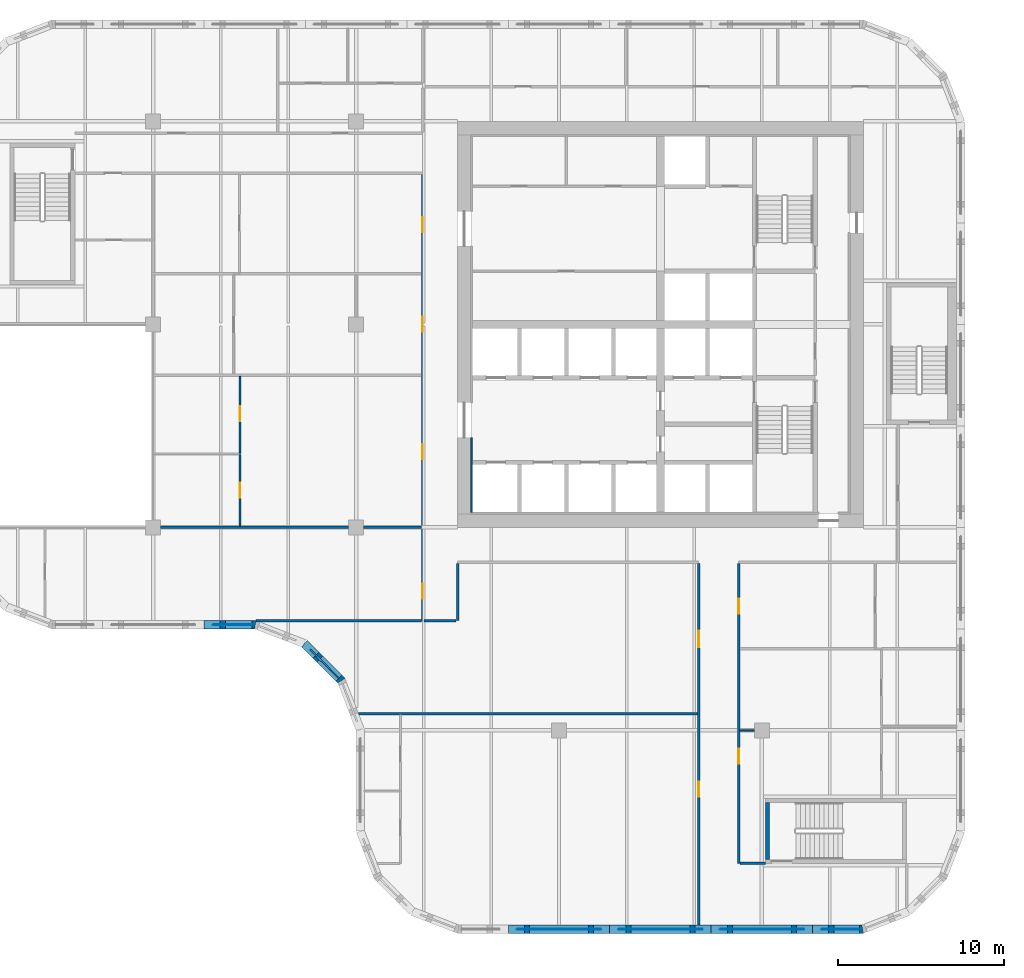
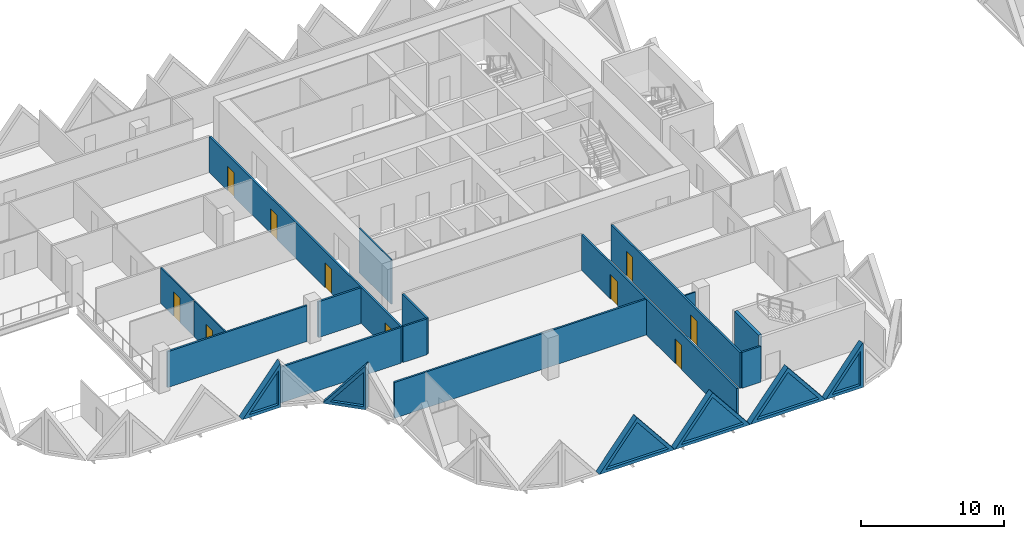
# One storey, part 5 of 19: 21 walls, 10 doors, 6 plates, 16 openings.
"""IFC4 building model written with IfcOpenShell, lengths in metres."""

from ifc_helpers import new_model, si_unit, direction, frame, frame_2d, origin, place, context, subcontext, project, spatial, polyline, rectangle, outline, extrude, faceted_brep, source, transform, mapped, material, layer, layer_set, type_object, element, fill, save


model = new_model("IFC4")

# Units and contexts
model_context = context("Model", 3, precision=1e-05, world=origin(), true_north=direction((0.0, 1.0)))
body_context = subcontext(model_context, "Body", "Model", "MODEL_VIEW")
ifc_project = project(units=[si_unit("LENGTHUNIT", "METRE"), si_unit("AREAUNIT", "SQUARE_METRE"), si_unit("VOLUMEUNIT", "CUBIC_METRE"), si_unit("PLANEANGLEUNIT", "RADIAN"), si_unit("MASSUNIT", "GRAM", prefix="KILO")], contexts=[model_context])

# Site, building, storey
site_placement = place(None, origin())
site = spatial("IfcSite", under=ifc_project, at=site_placement, CompositionType="ELEMENT")
building_placement = place(site_placement, origin())
building = spatial("IfcBuilding", under=site, at=building_placement, Name="Tessera Gate Towers", CompositionType="ELEMENT")
storey_placement = place(building_placement, frame((0.0, 0.0, 68.60009765625)))
storey = spatial("IfcBuildingStorey", under=building, at=storey_placement, Name="L16", CompositionType="ELEMENT", Elevation=68.60009765625)

# Walls
ifc_material_1 = material(Name="Concrete C40/50", Category="concrete")
ifc_layer_1 = layer(ifc_material_1, 0.25)
ifc_layer_set_1 = layer_set([ifc_layer_1], Name="CORE ENCLOSURE WALL 250")
wall_type_1 = type_object("IfcWallType", Name="CORE ENCLOSURE WALL 250", PredefinedType="SOLIDWALL", material=ifc_layer_set_1)
wall_1_placement = place(storey_placement, frame((49.125, 4.449951171875, 0.0), z_axis=(0.0, 0.0, 1.0), x_axis=(0.0, 1.0, 0.0)))
element("IfcWall", 1, at=wall_1_placement, inside=storey, type_object=wall_type_1, Name="L16 ST4 enclosure wall", PredefinedType="SOLIDWALL", context=body_context, shape_type="SweptSolid", body=[
    extrude(rectangle(XDim=3.400146484375, YDim=0.25, at=frame_2d((1.7001953125, 0.0))), origin(), (0.0, 0.0, 1.0), 3.7998046875),
])
ifc_material_2 = material(Name="Concrete C60/75", Category="concrete")
ifc_layer_2 = layer(ifc_material_2, 0.10009765625)
ifc_layer_set_2 = layer_set([ifc_layer_2], Name="CORE WALL THICKENING 100")
wall_type_2 = type_object("IfcWallType", Name="CORE WALL THICKENING 100", PredefinedType="SOLIDWALL", material=ifc_layer_set_2)
wall_2_placement = place(storey_placement, frame((31.35009765625, 25.300048828125, 0.0), z_axis=(0.0, 0.0, 1.0), x_axis=(0.0, 1.0, 0.0)))
element("IfcWall", 2, at=wall_2_placement, inside=storey, type_object=wall_type_2, Name="Core wall thickening W L16", PredefinedType="SOLIDWALL", context=body_context, shape_type="SweptSolid", body=[
    extrude(rectangle(XDim=4.5, YDim=0.10009765625, at=frame_2d((2.25, 0.0))), origin(), (0.0, 0.0, 1.0), 3.7998046875),
])

# Wall, openings, doors
ifc_material_3 = material(Name="Gypsum board on steel studs, mineral wool", Category="steel")
ifc_layer_3 = layer(ifc_material_3, 0.14990234375)
ifc_layer_set_3 = layer_set([ifc_layer_3], Name="CORRIDOR WALL 150")
wall_type_3 = type_object("IfcWallType", Name="CORRIDOR WALL 150", PredefinedType="PARTITIONING", material=ifc_layer_set_3)
wall_3_placement = place(storey_placement, frame((45.0, 0.5, 0.0), z_axis=(0.0, 0.0, 1.0), x_axis=(0.0, 1.0, 0.0)))
wall_3 = element("IfcWall", 3, at=wall_3_placement, inside=storey, type_object=wall_type_3, Name="T1-L16-PW-001", PredefinedType="PARTITIONING", context=body_context, shape_type="SweptSolid", body=[
    extrude(rectangle(XDim=21.72412109375, YDim=0.14990234375, at=frame_2d((10.862060546875, 0.0))), origin(), (0.0, 0.0, 1.0), 3.06689453125),
])
shared_shape_1 = source(origin(), body_context, "Body", "SweptSolid", [
    extrude(rectangle(XDim=0.89990234375, YDim=2.10009765625, at=frame_2d((0.449951171875, 1.050048828125))), frame((0.0, 0.0849609375, 0.0), z_axis=(0.0, -1.0, 0.0), x_axis=(1.0, 0.0, 0.0)), (0.0, 0.0, 1.0), 0.169921875),
])
opening_1_placement = place(wall_3_placement, frame((7.699951171875, 0.0, 0.0)))
opening_1 = element("IfcOpeningElement", 4, at=opening_1_placement, cuts=wall_3, Name="Opening D890FD60-A06-07", PredefinedType="OPENING", context=body_context, shape_type="MappedRepresentation", body=[
    mapped(shared_shape_1, transform((0.0, 0.0, 0.0), scale=1.0)),
])
shared_shape_2 = source(origin(), body_context, "Body", "SweptSolid", [
    extrude(rectangle(XDim=1.0, YDim=2.10009765625, at=frame_2d((0.5, 1.050048828125))), frame((0.0, 0.0849609375, 0.0), z_axis=(0.0, -1.0, 0.0), x_axis=(1.0, 0.0, 0.0)), (0.0, 0.0, 1.0), 0.169921875),
])
opening_2_placement = place(wall_3_placement, frame((16.699951171875, 0.0, 0.0)))
opening_2 = element("IfcOpeningElement", 5, at=opening_2_placement, cuts=wall_3, Name="Opening D2100FD60-A06-02", PredefinedType="OPENING", context=body_context, shape_type="MappedRepresentation", body=[
    mapped(shared_shape_2, transform((0.0, 0.0, 0.0), scale=1.0)),
])
ifc_material_4 = material(Name="Timber door leaf in steel frame", Category="steel")
door_type_1 = type_object("IfcDoorType", Name="CORRIDOR DOOR 900 FD60", OperationType="NOTDEFINED", PredefinedType="DOOR", material=ifc_material_4)
shared_shape_3 = source(origin(), body_context, "Body", "SweptSolid", [
    extrude(rectangle(XDim=0.89990234375, YDim=2.10009765625, at=frame_2d((0.449951171875, 1.050048828125))), frame((0.0, 0.02490234375, 0.0), z_axis=(0.0, -1.0, 0.0), x_axis=(1.0, 0.0, 0.0)), (0.0, 0.0, 1.0), 0.050048828125),
])
door_1_placement = place(opening_1_placement, origin())
door_1 = element("IfcDoor", 6, at=door_1_placement, inside=storey, type_object=door_type_1, Name="T1-L16-PD-021", OperationType="SINGLE_SWING_LEFT", OverallHeight=2.10009765625, OverallWidth=0.89990234375, PredefinedType="DOOR", context=body_context, shape_type="MappedRepresentation", body=[
    mapped(shared_shape_3, transform((0.0, 0.0, 0.0), scale=1.0)),
])
fill(opening_1, door_1)
ifc_material_5 = material(Name="Timber door leaf in steel frame", Category="steel")
door_type_2 = type_object("IfcDoorType", Name="TENANCY ENTRANCE DOOR 1000 FD60", OperationType="NOTDEFINED", PredefinedType="DOOR", material=ifc_material_5)
shared_shape_4 = source(origin(), body_context, "Body", "SweptSolid", [
    extrude(rectangle(XDim=1.0, YDim=2.10009765625, at=frame_2d((0.5, 1.050048828125))), frame((0.0, 0.02490234375, 0.0), z_axis=(0.0, -1.0, 0.0), x_axis=(1.0, 0.0, 0.0)), (0.0, 0.0, 1.0), 0.050048828125),
])
door_2_placement = place(opening_2_placement, origin())
door_2 = element("IfcDoor", 7, at=door_2_placement, inside=storey, type_object=door_type_2, Name="T1-L16-PD-022", OperationType="SINGLE_SWING_LEFT", OverallHeight=2.10009765625, OverallWidth=1.0, PredefinedType="DOOR", context=body_context, shape_type="MappedRepresentation", body=[
    mapped(shared_shape_4, transform((0.0, 0.0, 0.0), scale=1.0)),
])
fill(opening_2, door_2)

wall_4_placement = place(storey_placement, frame((47.39990234375, 22.22412109375, 0.0), z_axis=(0.0, 0.0, 1.0), x_axis=(0.0, -1.0, 0.0)))
wall_4 = element("IfcWall", 8, at=wall_4_placement, inside=storey, type_object=wall_type_3, Name="T1-L16-PW-005", PredefinedType="PARTITIONING", context=body_context, shape_type="SweptSolid", body=[
    extrude(rectangle(XDim=18.024169921875, YDim=0.14990234375, at=frame_2d((9.01220703125, 0.0))), origin(), (0.0, 0.0, 1.0), 3.06689453125),
])
opening_3_placement = place(wall_4_placement, frame((2.123046875, 0.0, 0.0)))
opening_3 = element("IfcOpeningElement", 9, at=opening_3_placement, cuts=wall_4, Name="Opening D890FD60-A06-02", PredefinedType="OPENING", context=body_context, shape_type="MappedRepresentation", body=[
    mapped(shared_shape_1, transform((0.0, 0.0, 0.0), scale=1.0)),
])
opening_4_placement = place(wall_4_placement, frame((11.1240234375, 0.0, 0.0)))
opening_4 = element("IfcOpeningElement", 10, at=opening_4_placement, cuts=wall_4, Name="Opening D890FD60-A06-12", PredefinedType="OPENING", context=body_context, shape_type="MappedRepresentation", body=[
    mapped(shared_shape_1, transform((0.0, 0.0, 0.0), scale=1.0)),
])
door_3_placement = place(opening_3_placement, origin())
door_3 = element("IfcDoor", 11, at=door_3_placement, inside=storey, type_object=door_type_1, Name="T1-L16-PD-012", OperationType="SINGLE_SWING_RIGHT", OverallHeight=2.10009765625, OverallWidth=0.89990234375, PredefinedType="DOOR", context=body_context, shape_type="MappedRepresentation", body=[
    mapped(shared_shape_3, transform((0.0, 0.0, 0.0), scale=1.0)),
])
fill(opening_3, door_3)
door_4_placement = place(opening_4_placement, origin())
door_4 = element("IfcDoor", 12, at=door_4_placement, inside=storey, type_object=door_type_1, Name="T1-L16-PD-028", OperationType="SINGLE_SWING_RIGHT", OverallHeight=2.10009765625, OverallWidth=0.89990234375, PredefinedType="DOOR", context=body_context, shape_type="MappedRepresentation", body=[
    mapped(shared_shape_3, transform((0.0, 0.0, 0.0), scale=1.0)),
])
fill(opening_4, door_4)

# Wall
wall_5_placement = place(storey_placement, frame((47.47607421875, 4.199951171875, 0.0), z_axis=(0.0, 0.0, 1.0), x_axis=(1.0, 0.0, 0.0)))
element("IfcWall", 13, at=wall_5_placement, inside=storey, type_object=wall_type_3, Name="T1-L16-PW-006", PredefinedType="PARTITIONING", context=body_context, shape_type="SweptSolid", body=[
    extrude(rectangle(XDim=1.52392578125, YDim=0.14990234375, at=frame_2d((0.761962890625, 0.0))), origin(), (0.0, 0.0, 1.0), 3.06689453125),
])

# Wall, openings, doors
wall_6_placement = place(storey_placement, frame((28.39990234375, 18.800048828125, 0.0), z_axis=(0.0, 0.0, 1.0), x_axis=(0.0, 1.0, 0.0)))
wall_6 = element("IfcWall", 14, at=wall_6_placement, inside=storey, type_object=wall_type_3, Name="T1-L16-PW-018", PredefinedType="PARTITIONING", context=body_context, shape_type="SweptSolid", body=[
    extrude(rectangle(XDim=26.823974609375, YDim=0.14990234375, at=frame_2d((13.412109375, 0.0))), origin(), (0.0, 0.0, 1.0), 3.06689453125),
])
opening_5_placement = place(wall_6_placement, frame((1.300048828125, 0.0, 0.0)))
opening_5 = element("IfcOpeningElement", 15, at=opening_5_placement, cuts=wall_6, Name="Opening D890FD60-A06-01", PredefinedType="OPENING", context=body_context, shape_type="MappedRepresentation", body=[
    mapped(shared_shape_1, transform((0.0, 0.0, 0.0), scale=1.0)),
])
opening_6_placement = place(wall_6_placement, frame((23.35107421875, 0.0, 0.0)))
opening_6 = element("IfcOpeningElement", 16, at=opening_6_placement, cuts=wall_6, Name="Opening D890FD60-A06-03", PredefinedType="OPENING", context=body_context, shape_type="MappedRepresentation", body=[
    mapped(shared_shape_1, transform((0.0, 0.0, 0.0), scale=1.0)),
])
opening_7_placement = place(wall_6_placement, frame((17.35107421875, 0.0, 0.0)))
opening_7 = element("IfcOpeningElement", 17, at=opening_7_placement, cuts=wall_6, Name="Opening D890FD60-A06-04", PredefinedType="OPENING", context=body_context, shape_type="MappedRepresentation", body=[
    mapped(shared_shape_1, transform((0.0, 0.0, 0.0), scale=1.0)),
])
opening_8_placement = place(wall_6_placement, frame((9.699951171875, 0.0, 0.0)))
opening_8 = element("IfcOpeningElement", 18, at=opening_8_placement, cuts=wall_6, Name="Opening D890FD60-A06-09", PredefinedType="OPENING", context=body_context, shape_type="MappedRepresentation", body=[
    mapped(shared_shape_1, transform((0.0, 0.0, 0.0), scale=1.0)),
])
door_5_placement = place(opening_5_placement, origin())
door_5 = element("IfcDoor", 19, at=door_5_placement, inside=storey, type_object=door_type_1, Name="T1-L16-PD-001", OperationType="SINGLE_SWING_LEFT", OverallHeight=2.10009765625, OverallWidth=0.89990234375, PredefinedType="DOOR", context=body_context, shape_type="MappedRepresentation", body=[
    mapped(shared_shape_3, transform((0.0, 0.0, 0.0), scale=1.0)),
])
fill(opening_5, door_5)
door_6_placement = place(opening_6_placement, origin())
door_6 = element("IfcDoor", 20, at=door_6_placement, inside=storey, type_object=door_type_1, Name="T1-L16-PD-017", OperationType="SINGLE_SWING_LEFT", OverallHeight=2.10009765625, OverallWidth=0.89990234375, PredefinedType="DOOR", context=body_context, shape_type="MappedRepresentation", body=[
    mapped(shared_shape_3, transform((0.0, 0.0, 0.0), scale=1.0)),
])
fill(opening_6, door_6)
door_7_placement = place(opening_7_placement, origin())
door_7 = element("IfcDoor", 21, at=door_7_placement, inside=storey, type_object=door_type_1, Name="T1-L16-PD-018", OperationType="SINGLE_SWING_LEFT", OverallHeight=2.10009765625, OverallWidth=0.89990234375, PredefinedType="DOOR", context=body_context, shape_type="MappedRepresentation", body=[
    mapped(shared_shape_3, transform((0.0, 0.0, 0.0), scale=1.0)),
])
fill(opening_7, door_7)
door_8_placement = place(opening_8_placement, origin())
door_8 = element("IfcDoor", 22, at=door_8_placement, inside=storey, type_object=door_type_1, Name="T1-L16-PD-024", OperationType="SINGLE_SWING_LEFT", OverallHeight=2.10009765625, OverallWidth=0.89990234375, PredefinedType="DOOR", context=body_context, shape_type="MappedRepresentation", body=[
    mapped(shared_shape_3, transform((0.0, 0.0, 0.0), scale=1.0)),
])
fill(opening_8, door_8)

# Walls
wall_7_placement = place(storey_placement, frame((28.47607421875, 18.800048828125, 0.0), z_axis=(0.0, 0.0, 1.0), x_axis=(1.0, 0.0, 0.0)))
element("IfcWall", 23, at=wall_7_placement, inside=storey, type_object=wall_type_3, Name="T1-L16-PW-019", PredefinedType="PARTITIONING", context=body_context, shape_type="SweptSolid", body=[
    extrude(rectangle(XDim=1.947998046875, YDim=0.14990234375, at=frame_2d((0.97412109375, 0.0))), origin(), (0.0, 0.0, 1.0), 3.06689453125),
])
wall_8_placement = place(storey_placement, frame((30.5, 18.800048828125, 0.0), z_axis=(0.0, 0.0, 1.0), x_axis=(0.0, 1.0, 0.0)))
element("IfcWall", 24, at=wall_8_placement, inside=storey, type_object=wall_type_3, Name="T1-L16-PW-020", PredefinedType="PARTITIONING", context=body_context, shape_type="SweptSolid", body=[
    extrude(rectangle(XDim=3.424072265625, YDim=0.14990234375, at=frame_2d((1.7119140625, 0.0))), origin(), (0.0, 0.0, 1.0), 3.06689453125),
])
ifc_material_6 = material(Name="Gypsum board on steel studs", Category="steel")
ifc_layer_4 = layer(ifc_material_6, 0.10009765625)
ifc_layer_set_4 = layer_set([ifc_layer_4], Name="PARTITION 100")
wall_type_4 = type_object("IfcWallType", Name="PARTITION 100", PredefinedType="PARTITIONING", material=ifc_layer_set_4)
wall_9_placement = place(storey_placement, frame((48.35009765625, 12.199951171875, 0.0), z_axis=(0.0, 0.0, 1.0), x_axis=(-1.0, 0.0, 0.0)))
element("IfcWall", 25, at=wall_9_placement, inside=storey, type_object=wall_type_4, Name="T1-L16-PW-009", PredefinedType="PARTITIONING", context=body_context, shape_type="SweptSolid", body=[
    extrude(rectangle(XDim=0.875, YDim=0.10009765625, at=frame_2d((0.4375, 0.0))), origin(), (0.0, 0.0, 1.0), 3.06689453125),
])

# Wall, opening, door
wall_10_placement = place(storey_placement, frame((17.425048828125, 24.47607421875, 0.0), z_axis=(0.0, 0.0, 1.0), x_axis=(0.0, 1.0, 0.0)))
wall_10 = element("IfcWall", 26, at=wall_10_placement, inside=storey, type_object=wall_type_4, Name="T1-L16-PW-028", PredefinedType="PARTITIONING", context=body_context, shape_type="SweptSolid", body=[
    extrude(rectangle(XDim=4.293212890625, YDim=0.10009765625, at=frame_2d((2.146484375, 0.0))), origin(), (0.0, 0.0, 1.0), 3.06689453125),
])
shared_shape_5 = source(origin(), body_context, "Body", "SweptSolid", [
    extrude(rectangle(XDim=0.89990234375, YDim=2.10009765625, at=frame_2d((0.449951171875, 1.050048828125))), frame((0.0, 0.06005859375, 0.0), z_axis=(0.0, -1.0, 0.0), x_axis=(1.0, 0.0, 0.0)), (0.0, 0.0, 1.0), 0.1201171875),
])
opening_9_placement = place(wall_10_placement, frame((1.699951171875, 0.0, 0.0)))
opening_9 = element("IfcOpeningElement", 27, at=opening_9_placement, cuts=wall_10, Name="Opening D190-A06-02", PredefinedType="OPENING", context=body_context, shape_type="MappedRepresentation", body=[
    mapped(shared_shape_5, transform((0.0, 0.0, 0.0), scale=1.0)),
])
ifc_material_7 = material(Name="Timber door leaf in steel frame", Category="steel")
door_type_3 = type_object("IfcDoorType", Name="INTERNAL DOOR 900 NOT RATED", OperationType="NOTDEFINED", PredefinedType="DOOR", material=ifc_material_7)
door_9_placement = place(opening_9_placement, origin())
door_9 = element("IfcDoor", 28, at=door_9_placement, inside=storey, type_object=door_type_3, Name="T1-L16-PD-003", OperationType="SINGLE_SWING_LEFT", OverallHeight=2.10009765625, OverallWidth=0.89990234375, PredefinedType="DOOR", context=body_context, shape_type="MappedRepresentation", body=[
    mapped(shared_shape_3, transform((0.0, 0.0, 0.0), scale=1.0)),
])
fill(opening_9, door_9)

wall_11_placement = place(storey_placement, frame((17.425048828125, 28.871337890625, 0.0), z_axis=(0.0, 0.0, 1.0), x_axis=(0.0, 1.0, 0.0)))
wall_11 = element("IfcWall", 29, at=wall_11_placement, inside=storey, type_object=wall_type_4, Name="T1-L16-PW-030", PredefinedType="PARTITIONING", context=body_context, shape_type="SweptSolid", body=[
    extrude(rectangle(XDim=4.602783203125, YDim=0.10009765625, at=frame_2d((2.30126953125, 0.0))), origin(), (0.0, 0.0, 1.0), 3.06689453125),
])
opening_10_placement = place(wall_11_placement, frame((1.89990234375, 0.0, 0.0)))
opening_10 = element("IfcOpeningElement", 30, at=opening_10_placement, cuts=wall_11, Name="Opening D190-A06-05", PredefinedType="OPENING", context=body_context, shape_type="MappedRepresentation", body=[
    mapped(shared_shape_5, transform((0.0, 0.0, 0.0), scale=1.0)),
])
door_10_placement = place(opening_10_placement, origin())
door_10 = element("IfcDoor", 31, at=door_10_placement, inside=storey, type_object=door_type_3, Name="T1-L16-PD-008", OperationType="SINGLE_SWING_LEFT", OverallHeight=2.10009765625, OverallWidth=0.89990234375, PredefinedType="DOOR", context=body_context, shape_type="MappedRepresentation", body=[
    mapped(shared_shape_3, transform((0.0, 0.0, 0.0), scale=1.0)),
])
fill(opening_10, door_10)

# Walls
ifc_material_8 = material(Name="Gypsum board on steel studs, mineral wool", Category="steel")
ifc_layer_5 = layer(ifc_material_8, 0.14990234375)
ifc_layer_set_5 = layer_set([ifc_layer_5], Name="TENANCY WALL 150")
wall_type_5 = type_object("IfcWallType", Name="TENANCY WALL 150", PredefinedType="PARTITIONING", material=ifc_layer_set_5)
wall_12_placement = place(storey_placement, frame((24.55029296875, 13.199951171875, 0.0), z_axis=(0.0, 0.0, 1.0), x_axis=(1.0, 0.0, 0.0)))
element("IfcWall", 32, at=wall_12_placement, inside=storey, type_object=wall_type_5, Name="T1-L16-PW-012", PredefinedType="PARTITIONING", context=body_context, shape_type="SweptSolid", body=[
    extrude(rectangle(XDim=20.373779296875, YDim=0.14990234375, at=frame_2d((10.18701171875, 0.0))), origin(), (0.0, 0.0, 1.0), 3.06689453125),
])
wall_13_placement = place(storey_placement, frame((18.39306640625, 18.800048828125, 0.0), z_axis=(0.0, 0.0, 1.0), x_axis=(1.0, 0.0, 0.0)))
element("IfcWall", 33, at=wall_13_placement, inside=storey, type_object=wall_type_5, Name="T1-L16-PW-017", PredefinedType="PARTITIONING", context=body_context, shape_type="SweptSolid", body=[
    extrude(rectangle(XDim=9.930908203125, YDim=0.14990234375, at=frame_2d((4.96533203125, 0.0))), origin(), (0.0, 0.0, 1.0), 3.06689453125),
])
wall_14_placement = place(storey_placement, frame((12.65087890625, 24.39990234375, 0.0), z_axis=(0.0, 0.0, 1.0), x_axis=(1.0, 0.0, 0.0)))
element("IfcWall", 34, at=wall_14_placement, inside=storey, type_object=wall_type_5, Name="T1-L16-PW-026", PredefinedType="PARTITIONING", context=body_context, shape_type="SweptSolid", body=[
    extrude(rectangle(XDim=11.298095703125, YDim=0.14990234375, at=frame_2d((5.64892578125, 0.0))), origin(), (0.0, 0.0, 1.0), 3.06689453125),
])
wall_15_placement = place(storey_placement, frame((24.85107421875, 24.39990234375, 0.0), z_axis=(0.0, 0.0, 1.0), x_axis=(1.0, 0.0, 0.0)))
element("IfcWall", 35, at=wall_15_placement, inside=storey, type_object=wall_type_5, Name="T1-L16-PW-027", PredefinedType="PARTITIONING", context=body_context, shape_type="SweptSolid", body=[
    extrude(rectangle(XDim=3.472900390625, YDim=0.14990234375, at=frame_2d((1.736328125, 0.0))), origin(), (0.0, 0.0, 1.0), 3.06689453125),
])

# Wall, opening, plate
ifc_material_9 = material(Name="Precast concrete C60/75 white", Category="concrete")
ifc_layer_6 = layer(ifc_material_9, 0.5)
ifc_layer_set_6 = layer_set([ifc_layer_6], Name="TS2 half tessera")
wall_type_6 = type_object("IfcWallType", Name="TS2 half tessera", PredefinedType="SOLIDWALL", material=ifc_layer_set_6)
shared_shape_6 = source(origin(), body_context, "Body", "Brep", [
    faceted_brep([(6.099853515625, -0.25, 0.000244140625), (3.050048828125, -0.25, 3.7998046875), (0.0, -0.25, 0.0), (6.099853515625, -0.25, 0.0), (0.0, 0.25, 0.0), (3.050048828125, 0.25, 3.7998046875), (6.099853515625, 0.25, 0.000244140625), (6.099853515625, 0.25, 0.0)], [[[0, 1, 2, 3]], [[4, 5, 6, 7]], [[6, 5, 1, 0]], [[5, 4, 2, 1]], [[4, 7, 3, 2]], [[3, 7, 6, 0]]]),
])
wall_16_placement = place(storey_placement, frame((33.550048828125, 0.25, 0.0), z_axis=(0.0, 0.0, 1.0), x_axis=(1.0, 0.0, 0.0)))
wall_16 = element("IfcWall", 36, at=wall_16_placement, inside=storey, type_object=wall_type_6, Name="Precast half tessera T1 TS2-0092", PredefinedType="SOLIDWALL", context=body_context, shape_type="MappedRepresentation", body=[
    mapped(shared_shape_6, transform((0.0, 0.0, 0.0), scale=1.0)),
])
shared_shape_7 = source(origin(), body_context, "Body", "SweptSolid", [
    extrude(outline(polyline([(5.578857421875, 0.25), (3.050048828125, 3.400390625), (0.521240234375, 0.25), (5.578857421875, 0.25)])), frame((0.0, 0.260009765625, 0.0), z_axis=(0.0, -1.0, 0.0), x_axis=(1.0, 0.0, 0.0)), (0.0, 0.0, 1.0), 0.52001953125),
])
opening_11_placement = place(wall_16_placement, origin())
opening_11 = element("IfcOpeningElement", 37, at=opening_11_placement, cuts=wall_16, Name="Opening T1-PL1-0190", PredefinedType="OPENING", context=body_context, shape_type="MappedRepresentation", body=[
    mapped(shared_shape_7, transform((0.0, 0.0, 0.0), scale=1.0)),
])
ifc_material_10 = material(Name="Low-e laminated glass", Category="glass")
ifc_layer_7 = layer(ifc_material_10, 0.06005859375)
ifc_layer_set_7 = layer_set([ifc_layer_7], Name="PL1 triangular pane")
plate_type = type_object("IfcPlateType", Name="PL1 triangular pane", PredefinedType="SHEET", material=ifc_layer_set_7)
shared_shape_8 = source(origin(), body_context, "Body", "SweptSolid", [
    extrude(outline(polyline([(5.578857421875, 0.25), (3.050048828125, 3.400390625), (0.521240234375, 0.25), (5.578857421875, 0.25)])), frame((0.0, 0.030029296875, 0.0), z_axis=(0.0, -1.0, 0.0), x_axis=(1.0, 0.0, 0.0)), (0.0, 0.0, 1.0), 0.06005859375),
])
plate_1_placement = place(opening_11_placement, origin())
plate_1 = element("IfcPlate", 38, at=plate_1_placement, inside=storey, type_object=plate_type, Name="Glass pane T1 PL1-0190", PredefinedType="SHEET", context=body_context, shape_type="MappedRepresentation", body=[
    mapped(shared_shape_8, transform((0.0, 0.0, 0.0), scale=1.0)),
])
fill(opening_11, plate_1)

shared_shape_9 = source(origin(), body_context, "Body", "SweptSolid", [
    extrude(outline(polyline([(6.10009765625, 0.0), (3.050048828125, 3.7998046875), (0.0, 0.0), (6.10009765625, 0.0)])), frame((0.0, 0.25, 0.0), z_axis=(0.0, -1.0, 0.0), x_axis=(1.0, 0.0, 0.0)), (0.0, 0.0, 1.0), 0.5),
])
wall_17_placement = place(storey_placement, frame((39.64990234375, 0.25, 0.0), z_axis=(0.0, 0.0, 1.0), x_axis=(1.0, 0.0, 0.0)))
wall_17 = element("IfcWall", 39, at=wall_17_placement, inside=storey, type_object=wall_type_6, Name="Precast half tessera T1 TS2-0093", PredefinedType="SOLIDWALL", context=body_context, shape_type="MappedRepresentation", body=[
    mapped(shared_shape_9, transform((0.0, 0.0, 0.0), scale=1.0)),
])
opening_12_placement = place(wall_17_placement, origin())
opening_12 = element("IfcOpeningElement", 40, at=opening_12_placement, cuts=wall_17, Name="Opening T1-PL1-0191", PredefinedType="OPENING", context=body_context, shape_type="MappedRepresentation", body=[
    mapped(shared_shape_7, transform((0.0, 0.0, 0.0), scale=1.0)),
])
plate_2_placement = place(opening_12_placement, origin())
plate_2 = element("IfcPlate", 41, at=plate_2_placement, inside=storey, type_object=plate_type, Name="Glass pane T1 PL1-0191", PredefinedType="SHEET", context=body_context, shape_type="MappedRepresentation", body=[
    mapped(shared_shape_8, transform((0.0, 0.0, 0.0), scale=1.0)),
])
fill(opening_12, plate_2)

wall_18_placement = place(storey_placement, frame((45.75, 0.25, 0.0), z_axis=(0.0, 0.0, 1.0), x_axis=(1.0, 0.0, 0.0)))
wall_18 = element("IfcWall", 42, at=wall_18_placement, inside=storey, type_object=wall_type_6, Name="Precast half tessera T1 TS2-0094", PredefinedType="SOLIDWALL", context=body_context, shape_type="MappedRepresentation", body=[
    mapped(shared_shape_9, transform((0.0, 0.0, 0.0), scale=1.0)),
])
opening_13_placement = place(wall_18_placement, origin())
opening_13 = element("IfcOpeningElement", 43, at=opening_13_placement, cuts=wall_18, Name="Opening T1-PL1-0192", PredefinedType="OPENING", context=body_context, shape_type="MappedRepresentation", body=[
    mapped(shared_shape_7, transform((0.0, 0.0, 0.0), scale=1.0)),
])
plate_3_placement = place(opening_13_placement, origin())
plate_3 = element("IfcPlate", 44, at=plate_3_placement, inside=storey, type_object=plate_type, Name="Glass pane T1 PL1-0192", PredefinedType="SHEET", context=body_context, shape_type="MappedRepresentation", body=[
    mapped(shared_shape_8, transform((0.0, 0.0, 0.0), scale=1.0)),
])
fill(opening_13, plate_3)

ifc_material_11 = material(Name="Precast concrete C60/75 white", Category="concrete")
ifc_layer_8 = layer(ifc_material_11, 0.5)
ifc_layer_set_8 = layer_set([ifc_layer_8], Name="TS3 corner tessera")
wall_type_7 = type_object("IfcWallType", Name="TS3 corner tessera", PredefinedType="SOLIDWALL", material=ifc_layer_set_8)
shared_shape_10 = source(origin(), body_context, "Body", "Brep", [
    faceted_brep([(3.050048828125, -0.25, 3.73974609375), (3.00341796875, -0.25, 3.7998046875), (0.0, -0.25, 0.0), (3.050048828125, -0.25, 0.0), (0.0, 0.25, 0.0), (2.956787109375, 0.25, 3.740966796875), (2.956787109375, 0.25, 0.0), (3.00341796875, 0.000244140625, 3.7998046875)], [[[0, 1, 2, 3]], [[4, 5, 6]], [[7, 1, 0]], [[5, 4, 2, 1, 7]], [[4, 6, 3, 2]], [[3, 6, 5, 7, 0]]]),
])
wall_19_placement = place(storey_placement, frame((51.85009765625, 0.25, 0.0), z_axis=(0.0, 0.0, 1.0), x_axis=(1.0, 0.0, 0.0)))
wall_19 = element("IfcWall", 45, at=wall_19_placement, inside=storey, type_object=wall_type_7, Name="Precast corner tessera T1 TS3-0339", PredefinedType="SOLIDWALL", context=body_context, shape_type="MappedRepresentation", body=[
    mapped(shared_shape_10, transform((0.0, 0.0, 0.0), scale=1.0)),
])
shared_shape_11 = source(origin(), body_context, "Body", "SweptSolid", [
    extrude(outline(polyline([(2.803466796875, 3.143798828125), (0.516357421875, 0.25), (2.803466796875, 0.25), (2.803466796875, 3.143798828125)])), frame((0.0, 0.260009765625, 0.0), z_axis=(0.0, -1.0, 0.0), x_axis=(1.0, 0.0, 0.0)), (0.0, 0.0, 1.0), 0.52001953125),
])
opening_14_placement = place(wall_19_placement, origin())
opening_14 = element("IfcOpeningElement", 46, at=opening_14_placement, cuts=wall_19, Name="Opening T1-PL1-0193", PredefinedType="OPENING", context=body_context, shape_type="MappedRepresentation", body=[
    mapped(shared_shape_11, transform((0.0, 0.0, 0.0), scale=1.0)),
])
shared_shape_12 = source(origin(), body_context, "Body", "SweptSolid", [
    extrude(outline(polyline([(2.803466796875, 3.143798828125), (0.516357421875, 0.25), (2.803466796875, 0.25), (2.803466796875, 3.143798828125)])), frame((0.0, 0.030029296875, 0.0), z_axis=(0.0, -1.0, 0.0), x_axis=(1.0, 0.0, 0.0)), (0.0, 0.0, 1.0), 0.06005859375),
])
plate_4_placement = place(opening_14_placement, origin())
plate_4 = element("IfcPlate", 47, at=plate_4_placement, inside=storey, type_object=plate_type, Name="Glass pane T1 PL1-0193", PredefinedType="SHEET", context=body_context, shape_type="MappedRepresentation", body=[
    mapped(shared_shape_12, transform((0.0, 0.0, 0.0), scale=1.0)),
])
fill(opening_14, plate_4)

shared_shape_13 = source(origin(), body_context, "Body", "Brep", [
    faceted_brep([(3.050048828125, -0.25, 3.742919921875), (0.0, -0.25, 0.0), (3.050048828125, -0.25, 0.0), (0.0, 0.25, 0.0), (3.096435546875, 0.25, 3.7998046875), (3.14306640625, 0.25, 3.743408203125), (3.14306640625, 0.25, 0.0), (3.096435546875, -0.00048828125, 3.7998046875)], [[[0, 1, 2]], [[3, 4, 5, 6]], [[5, 4, 7]], [[4, 3, 1, 0, 7]], [[3, 6, 2, 1]], [[2, 6, 5, 7, 0]]]),
])
wall_20_placement = place(storey_placement, frame((15.25, 18.550048828125, 0.0), z_axis=(0.0, 0.0, 1.0), x_axis=(1.0, 0.0, 0.0)))
wall_20 = element("IfcWall", 48, at=wall_20_placement, inside=storey, type_object=wall_type_7, Name="Precast corner tessera T1 TS3-0355", PredefinedType="SOLIDWALL", context=body_context, shape_type="MappedRepresentation", body=[
    mapped(shared_shape_13, transform((0.0, 0.0, 0.0), scale=1.0)),
])
shared_shape_14 = source(origin(), body_context, "Body", "SweptSolid", [
    extrude(outline(polyline([(2.896484375, 3.15869140625), (0.526123046875, 0.25), (2.896484375, 0.25), (2.896484375, 3.15869140625)])), frame((0.0, 0.260009765625, 0.0), z_axis=(0.0, -1.0, 0.0), x_axis=(1.0, 0.0, 0.0)), (0.0, 0.0, 1.0), 0.52001953125),
])
opening_15_placement = place(wall_20_placement, origin())
opening_15 = element("IfcOpeningElement", 49, at=opening_15_placement, cuts=wall_20, Name="Opening T1-PL1-0228", PredefinedType="OPENING", context=body_context, shape_type="MappedRepresentation", body=[
    mapped(shared_shape_14, transform((0.0, 0.0, 0.0), scale=1.0)),
])
shared_shape_15 = source(origin(), body_context, "Body", "SweptSolid", [
    extrude(outline(polyline([(2.896484375, 3.15869140625), (0.526123046875, 0.25), (2.896484375, 0.25), (2.896484375, 3.15869140625)])), frame((0.0, 0.030029296875, 0.0), z_axis=(0.0, -1.0, 0.0), x_axis=(1.0, 0.0, 0.0)), (0.0, 0.0, 1.0), 0.06005859375),
])
plate_5_placement = place(opening_15_placement, origin())
plate_5 = element("IfcPlate", 50, at=plate_5_placement, inside=storey, type_object=plate_type, Name="Glass pane T1 PL1-0228", PredefinedType="SHEET", context=body_context, shape_type="MappedRepresentation", body=[
    mapped(shared_shape_15, transform((0.0, 0.0, 0.0), scale=1.0)),
])
fill(opening_15, plate_5)

shared_shape_16 = source(origin(), body_context, "Body", "Brep", [
    faceted_brep([(3.10302734375, -0.25, 3.736083984375), (0.052978515625, -0.25, 0.063720703125), (0.052978515625, -0.25, 0.0), (3.10302734375, -0.25, 0.0), (0.0, 0.25, 0.0), (3.15576171875, 0.25, 3.7998046875), (3.208740234375, 0.25, 3.73583984375), (3.208740234375, 0.25, 0.0), (3.15576171875, -0.00048828125, 3.7998046875), (0.0, 0.0, 0.0)], [[[0, 1, 2, 3]], [[4, 5, 6, 7]], [[6, 5, 8]], [[5, 4, 9, 1, 0, 8]], [[4, 7, 3, 2, 9]], [[9, 2, 1]], [[3, 7, 6, 8, 0]]]),
])
wall_21_placement = place(storey_placement, frame((21.284912109375, 17.41650390625, 0.0), z_axis=(0.0, 0.0, 1.0), x_axis=(0.707106781187, -0.707106781187, 0.0)))
wall_21 = element("IfcWall", 51, at=wall_21_placement, inside=storey, type_object=wall_type_7, Name="Precast corner tessera T1 TS3-0357", PredefinedType="SOLIDWALL", context=body_context, shape_type="MappedRepresentation", body=[
    mapped(shared_shape_16, transform((0.0, 0.0, 0.0), scale=1.0)),
])
shared_shape_17 = source(origin(), body_context, "Body", "SweptSolid", [
    extrude(outline(polyline([(2.955810546875, 3.167724609375), (0.53271484375, 0.25), (2.955810546875, 0.25), (2.955810546875, 3.167724609375)])), frame((0.0, 0.260009765625, 0.0), z_axis=(0.0, -1.0, 0.0), x_axis=(1.0, 0.0, 0.0)), (0.0, 0.0, 1.0), 0.52001953125),
])
opening_16_placement = place(wall_21_placement, origin())
opening_16 = element("IfcOpeningElement", 52, at=opening_16_placement, cuts=wall_21, Name="Opening T1-PL1-0230", PredefinedType="OPENING", context=body_context, shape_type="MappedRepresentation", body=[
    mapped(shared_shape_17, transform((0.0, 0.0, 0.0), scale=1.0)),
])
shared_shape_18 = source(origin(), body_context, "Body", "SweptSolid", [
    extrude(outline(polyline([(2.955810546875, 3.167724609375), (0.53271484375, 0.25), (2.955810546875, 0.25), (2.955810546875, 3.167724609375)])), frame((0.0, 0.030029296875, 0.0), z_axis=(0.0, -1.0, 0.0), x_axis=(1.0, 0.0, 0.0)), (0.0, 0.0, 1.0), 0.06005859375),
])
plate_6_placement = place(opening_16_placement, origin())
plate_6 = element("IfcPlate", 53, at=plate_6_placement, inside=storey, type_object=plate_type, Name="Glass pane T1 PL1-0230", PredefinedType="SHEET", context=body_context, shape_type="MappedRepresentation", body=[
    mapped(shared_shape_18, transform((0.0, 0.0, 0.0), scale=1.0)),
])
fill(opening_16, plate_6)

save(model, "model.ifc")
